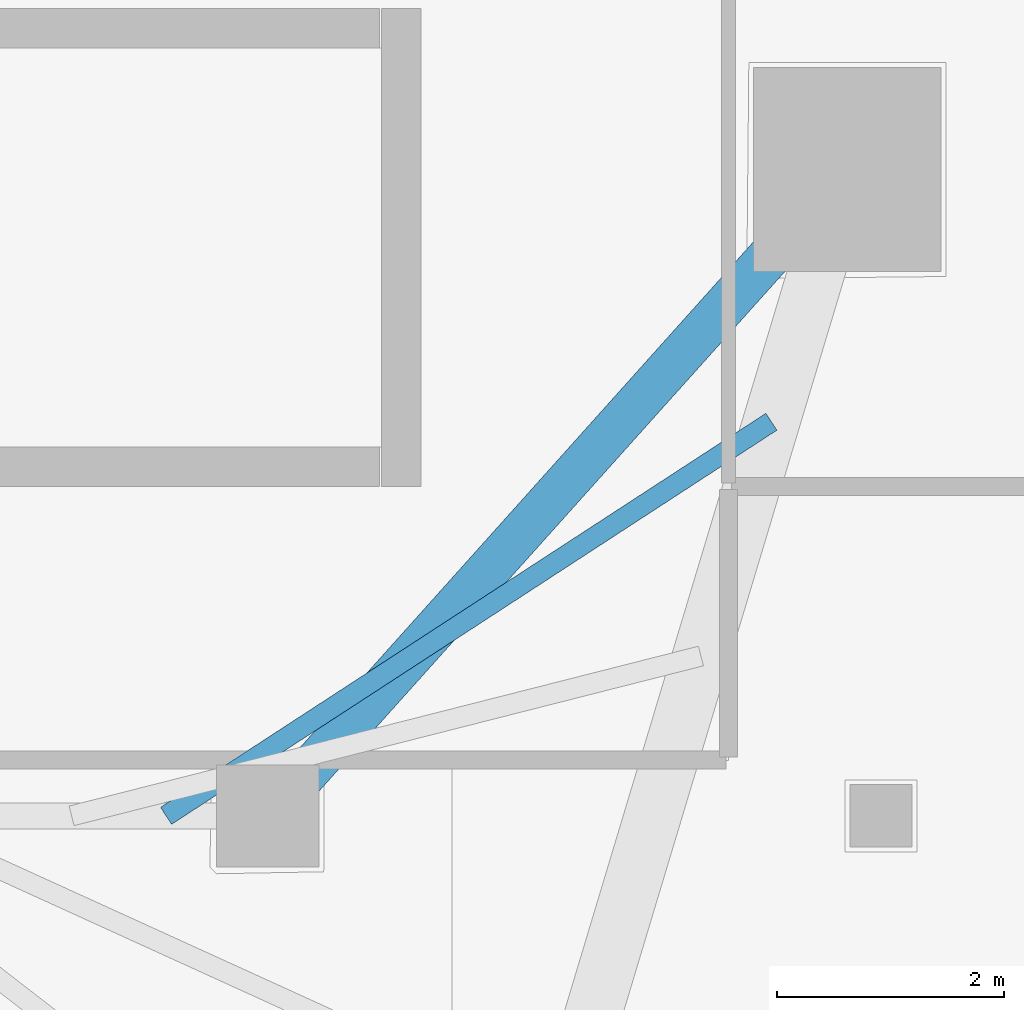
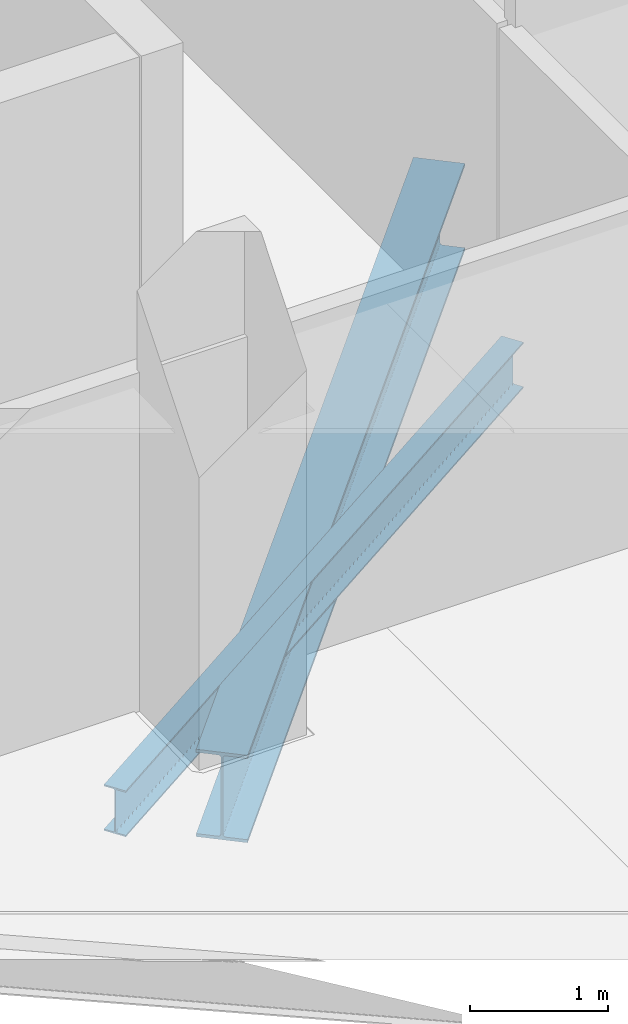
# One storey, part 13 of 33: 2 beams.
"""IFC4 building model written with IfcOpenShell, lengths in metres."""

from ifc_helpers import new_model, si_unit, direction, frame, origin, origin_2d, place, context, subcontext, project, spatial, i_section, extrude, material, material_profile, profile_set, type_object, element, save


model = new_model("IFC4")

# Units and contexts
model_context = context("Model", 3, precision=1e-05, world=origin(), true_north=direction((0.0, 1.0)))
body_context = subcontext(model_context, "Body", "Model", "MODEL_VIEW")
ifc_project = project(units=[si_unit("LENGTHUNIT", "METRE"), si_unit("AREAUNIT", "SQUARE_METRE"), si_unit("VOLUMEUNIT", "CUBIC_METRE"), si_unit("PLANEANGLEUNIT", "RADIAN"), si_unit("MASSUNIT", "GRAM", prefix="KILO")], contexts=[model_context])

# Site, building, storey
site_placement = place(None, origin())
site = spatial("IfcSite", under=ifc_project, at=site_placement, CompositionType="ELEMENT")
building_placement = place(site_placement, origin())
building = spatial("IfcBuilding", under=site, at=building_placement, Name="Qorvath Tower", CompositionType="ELEMENT")
storey_placement = place(building_placement, frame((0.0, 0.0, 221.25)))
storey = spatial("IfcBuildingStorey", under=building, at=storey_placement, Name="L51", CompositionType="ELEMENT", Elevation=221.25)

# Beams
ifc_material_1 = material(Name="Steel ASTM A992 Grade 50", Category="steel")
ifc_material_profile_1 = material_profile(ifc_material_1, i_section(OverallWidth=0.381103515625, OverallDepth=0.77294921875, WebThickness=0.0166015625, FlangeThickness=0.027099609375, FilletRadius=0.01904296875, at=origin_2d()), Name="W30x173")
ifc_profile_set_1 = profile_set([ifc_material_profile_1], Name="Steel ASTM A992 Grade 50")
beam_type_1 = type_object("IfcBeamType", Name="BM-FG3", PredefinedType="BEAM", material=ifc_profile_set_1)
beam_1_placement = place(storey_placement, frame((-17.199951171875, -11.449951171875, -0.656494140625), z_axis=(0.667543184261, 0.744571082669, 0.0), x_axis=(-0.744571082669, 0.667543184261, 0.0)))
element("IfcBeam", 1, at=beam_1_placement, inside=storey, type_object=beam_type_1, Name="Radial Floor Girder CC3-MC4 L51", PredefinedType="BEAM", context=body_context, shape_type="SweptSolid", body=[
    extrude(i_section(OverallWidth=0.381103515625, OverallDepth=0.77294921875, WebThickness=0.0166015625, FlangeThickness=0.027099609375, FilletRadius=0.01904296875, at=origin_2d()), origin(), (0.0, 0.0, 1.0), 7.644775390625),
])
ifc_material_2 = material(Name="Steel ASTM A992 Grade 50", Category="steel")
ifc_material_profile_2 = material_profile(ifc_material_2, i_section(OverallWidth=0.177978515625, OverallDepth=0.406005859375, WebThickness=0.0078125, FlangeThickness=0.0126953125, FilletRadius=0.010986328125, at=origin_2d()), Name="W16x40")
ifc_profile_set_2 = profile_set([ifc_material_profile_2], Name="Steel ASTM A992 Grade 50")
beam_type_2 = type_object("IfcBeamType", Name="BM-FJ3", PredefinedType="JOIST", material=ifc_profile_set_2)
beam_2_placement = place(storey_placement, frame((-18.095947265625, -11.449951171875, -0.472900390625), z_axis=(0.838041756057, 0.545606098853, 0.0), x_axis=(-0.545606098853, 0.838041756057, 0.0)))
element("IfcBeam", 2, at=beam_2_placement, inside=storey, type_object=beam_type_2, Name="Composite Floor Joist SE1 L51", PredefinedType="JOIST", context=body_context, shape_type="SweptSolid", body=[
    extrude(i_section(OverallWidth=0.177978515625, OverallDepth=0.406005859375, WebThickness=0.0078125, FlangeThickness=0.0126953125, FilletRadius=0.010986328125, at=origin_2d()), origin(), (0.0, 0.0, 1.0), 6.36083984375),
])

save(model, "model.ifc")
